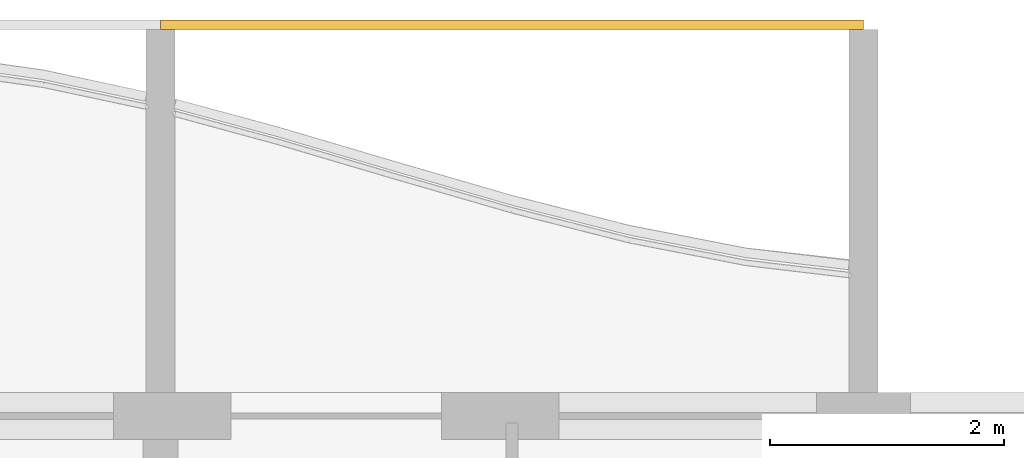
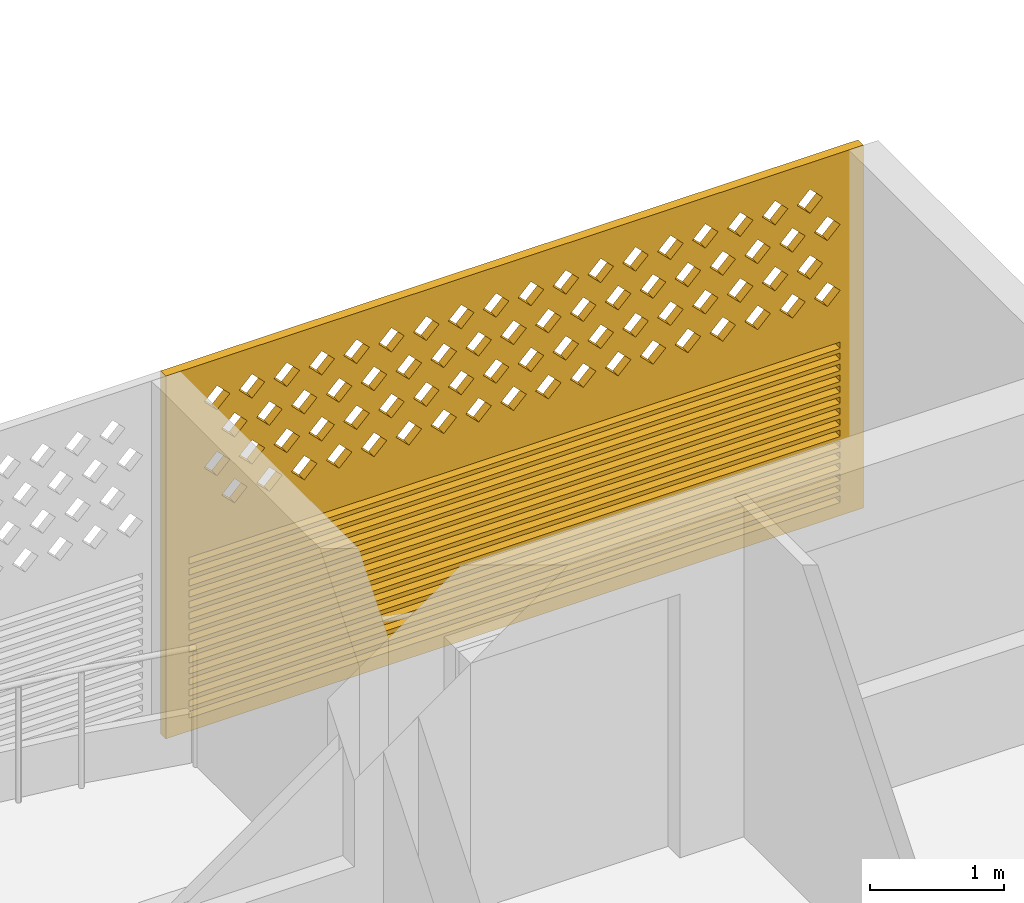
# One storey, part 26 of 32: 1 covering.
"""IFC4 building model written with IfcOpenShell, lengths in metres."""

from ifc_helpers import new_model, si_unit, direction, frame, origin, place, context, subcontext, project, spatial, polyline, outline, extrude, source, transform, mapped, material, material_profile, profile_set, type_object, element, save


model = new_model("IFC4")

# Units and contexts
model_context = context("Model", 3, precision=1e-05, world=origin(), true_north=direction((0.0, 1.0)))
body_context = subcontext(model_context, "Body", "Model", "MODEL_VIEW")
ifc_project = project(units=[si_unit("LENGTHUNIT", "METRE"), si_unit("AREAUNIT", "SQUARE_METRE"), si_unit("VOLUMEUNIT", "CUBIC_METRE"), si_unit("PLANEANGLEUNIT", "RADIAN"), si_unit("MASSUNIT", "GRAM", prefix="KILO")], contexts=[model_context])

# Site, building, storey
site_placement = place(None, origin())
site = spatial("IfcSite", under=ifc_project, at=site_placement, CompositionType="ELEMENT")
building_placement = place(site_placement, origin())
building = spatial("IfcBuilding", under=site, at=building_placement, Name="Poui Terraces", CompositionType="ELEMENT")
storey_placement = place(building_placement, frame((0.0, 0.0, 155.39990234375)))
storey = spatial("IfcBuildingStorey", under=building, at=storey_placement, Name="L43", CompositionType="ELEMENT", Elevation=155.39990234375)

# Covering
ifc_material = material(Name="Terracotta screen", Category="masonry")
ifc_material_profile = material_profile(ifc_material, outline(polyline([(-3.0, -1.64990234375), (3.0, -1.64990234375), (3.0, 1.64990234375), (-3.0, 1.64990234375), (-3.0, -1.64990234375)]), holes=[polyline([(-2.800048828125, 0.39990234375), (-2.68994140625, 0.2900390625), (-2.580078125, 0.39990234375), (-2.68994140625, 0.510009765625), (-2.800048828125, 0.39990234375)]), polyline([(-2.5, 0.39990234375), (-2.389892578125, 0.2900390625), (-2.280029296875, 0.39990234375), (-2.389892578125, 0.510009765625), (-2.5, 0.39990234375)]), polyline([(-2.199951171875, 0.39990234375), (-2.090087890625, 0.2900390625), (-1.97998046875, 0.39990234375), (-2.090087890625, 0.510009765625), (-2.199951171875, 0.39990234375)]), polyline([(-1.89990234375, 0.39990234375), (-1.7900390625, 0.2900390625), (-1.679931640625, 0.39990234375), (-1.7900390625, 0.510009765625), (-1.89990234375, 0.39990234375)]), polyline([(-1.60009765625, 0.39990234375), (-1.489990234375, 0.2900390625), (-1.3798828125, 0.39990234375), (-1.489990234375, 0.510009765625), (-1.60009765625, 0.39990234375)]), polyline([(-1.300048828125, 0.39990234375), (-1.18994140625, 0.2900390625), (-1.080078125, 0.39990234375), (-1.18994140625, 0.510009765625), (-1.300048828125, 0.39990234375)]), polyline([(-1.0, 0.39990234375), (-0.889892578125, 0.2900390625), (-0.780029296875, 0.39990234375), (-0.889892578125, 0.510009765625), (-1.0, 0.39990234375)]), polyline([(-0.699951171875, 0.39990234375), (-0.590087890625, 0.2900390625), (-0.47998046875, 0.39990234375), (-0.590087890625, 0.510009765625), (-0.699951171875, 0.39990234375)]), polyline([(-0.39990234375, 0.39990234375), (-0.2900390625, 0.2900390625), (-0.179931640625, 0.39990234375), (-0.2900390625, 0.510009765625), (-0.39990234375, 0.39990234375)]), polyline([(-0.10009765625, 0.39990234375), (0.010009765625, 0.2900390625), (0.1201171875, 0.39990234375), (0.010009765625, 0.510009765625), (-0.10009765625, 0.39990234375)]), polyline([(0.199951171875, 0.39990234375), (0.31005859375, 0.2900390625), (0.419921875, 0.39990234375), (0.31005859375, 0.510009765625), (0.199951171875, 0.39990234375)]), polyline([(0.5, 0.39990234375), (0.610107421875, 0.2900390625), (0.719970703125, 0.39990234375), (0.610107421875, 0.510009765625), (0.5, 0.39990234375)]), polyline([(0.800048828125, 0.39990234375), (0.909912109375, 0.2900390625), (1.02001953125, 0.39990234375), (0.909912109375, 0.510009765625), (0.800048828125, 0.39990234375)]), polyline([(1.10009765625, 0.39990234375), (1.2099609375, 0.2900390625), (1.320068359375, 0.39990234375), (1.2099609375, 0.510009765625), (1.10009765625, 0.39990234375)]), polyline([(1.39990234375, 0.39990234375), (1.510009765625, 0.2900390625), (1.6201171875, 0.39990234375), (1.510009765625, 0.510009765625), (1.39990234375, 0.39990234375)]), polyline([(1.699951171875, 0.39990234375), (1.81005859375, 0.2900390625), (1.919921875, 0.39990234375), (1.81005859375, 0.510009765625), (1.699951171875, 0.39990234375)]), polyline([(2.0, 0.39990234375), (2.110107421875, 0.2900390625), (2.219970703125, 0.39990234375), (2.110107421875, 0.510009765625), (2.0, 0.39990234375)]), polyline([(2.300048828125, 0.39990234375), (2.409912109375, 0.2900390625), (2.52001953125, 0.39990234375), (2.409912109375, 0.510009765625), (2.300048828125, 0.39990234375)]), polyline([(-2.64990234375, 0.699951171875), (-2.5400390625, 0.590087890625), (-2.429931640625, 0.699951171875), (-2.5400390625, 0.81005859375), (-2.64990234375, 0.699951171875)]), polyline([(-2.35009765625, 0.699951171875), (-2.239990234375, 0.590087890625), (-2.1298828125, 0.699951171875), (-2.239990234375, 0.81005859375), (-2.35009765625, 0.699951171875)]), polyline([(-2.050048828125, 0.699951171875), (-1.93994140625, 0.590087890625), (-1.830078125, 0.699951171875), (-1.93994140625, 0.81005859375), (-2.050048828125, 0.699951171875)]), polyline([(-1.75, 0.699951171875), (-1.639892578125, 0.590087890625), (-1.530029296875, 0.699951171875), (-1.639892578125, 0.81005859375), (-1.75, 0.699951171875)]), polyline([(-1.449951171875, 0.699951171875), (-1.340087890625, 0.590087890625), (-1.22998046875, 0.699951171875), (-1.340087890625, 0.81005859375), (-1.449951171875, 0.699951171875)]), polyline([(-1.14990234375, 0.699951171875), (-1.0400390625, 0.590087890625), (-0.929931640625, 0.699951171875), (-1.0400390625, 0.81005859375), (-1.14990234375, 0.699951171875)]), polyline([(-0.85009765625, 0.699951171875), (-0.739990234375, 0.590087890625), (-0.6298828125, 0.699951171875), (-0.739990234375, 0.81005859375), (-0.85009765625, 0.699951171875)]), polyline([(-0.550048828125, 0.699951171875), (-0.43994140625, 0.590087890625), (-0.330078125, 0.699951171875), (-0.43994140625, 0.81005859375), (-0.550048828125, 0.699951171875)]), polyline([(-0.25, 0.699951171875), (-0.139892578125, 0.590087890625), (-0.030029296875, 0.699951171875), (-0.139892578125, 0.81005859375), (-0.25, 0.699951171875)]), polyline([(0.050048828125, 0.699951171875), (0.159912109375, 0.590087890625), (0.27001953125, 0.699951171875), (0.159912109375, 0.81005859375), (0.050048828125, 0.699951171875)]), polyline([(0.35009765625, 0.699951171875), (0.4599609375, 0.590087890625), (0.570068359375, 0.699951171875), (0.4599609375, 0.81005859375), (0.35009765625, 0.699951171875)]), polyline([(0.64990234375, 0.699951171875), (0.760009765625, 0.590087890625), (0.8701171875, 0.699951171875), (0.760009765625, 0.81005859375), (0.64990234375, 0.699951171875)]), polyline([(0.949951171875, 0.699951171875), (1.06005859375, 0.590087890625), (1.169921875, 0.699951171875), (1.06005859375, 0.81005859375), (0.949951171875, 0.699951171875)]), polyline([(1.25, 0.699951171875), (1.360107421875, 0.590087890625), (1.469970703125, 0.699951171875), (1.360107421875, 0.81005859375), (1.25, 0.699951171875)]), polyline([(1.550048828125, 0.699951171875), (1.659912109375, 0.590087890625), (1.77001953125, 0.699951171875), (1.659912109375, 0.81005859375), (1.550048828125, 0.699951171875)]), polyline([(1.85009765625, 0.699951171875), (1.9599609375, 0.590087890625), (2.070068359375, 0.699951171875), (1.9599609375, 0.81005859375), (1.85009765625, 0.699951171875)]), polyline([(2.14990234375, 0.699951171875), (2.260009765625, 0.590087890625), (2.3701171875, 0.699951171875), (2.260009765625, 0.81005859375), (2.14990234375, 0.699951171875)]), polyline([(2.449951171875, 0.699951171875), (2.56005859375, 0.590087890625), (2.669921875, 0.699951171875), (2.56005859375, 0.81005859375), (2.449951171875, 0.699951171875)]), polyline([(-2.800048828125, 1.0), (-2.68994140625, 0.889892578125), (-2.580078125, 1.0), (-2.68994140625, 1.110107421875), (-2.800048828125, 1.0)]), polyline([(-2.5, 1.0), (-2.389892578125, 0.889892578125), (-2.280029296875, 1.0), (-2.389892578125, 1.110107421875), (-2.5, 1.0)]), polyline([(-2.199951171875, 1.0), (-2.090087890625, 0.889892578125), (-1.97998046875, 1.0), (-2.090087890625, 1.110107421875), (-2.199951171875, 1.0)]), polyline([(-1.89990234375, 1.0), (-1.7900390625, 0.889892578125), (-1.679931640625, 1.0), (-1.7900390625, 1.110107421875), (-1.89990234375, 1.0)]), polyline([(-1.60009765625, 1.0), (-1.489990234375, 0.889892578125), (-1.3798828125, 1.0), (-1.489990234375, 1.110107421875), (-1.60009765625, 1.0)]), polyline([(-1.300048828125, 1.0), (-1.18994140625, 0.889892578125), (-1.080078125, 1.0), (-1.18994140625, 1.110107421875), (-1.300048828125, 1.0)]), polyline([(-1.0, 1.0), (-0.889892578125, 0.889892578125), (-0.780029296875, 1.0), (-0.889892578125, 1.110107421875), (-1.0, 1.0)]), polyline([(-0.699951171875, 1.0), (-0.590087890625, 0.889892578125), (-0.47998046875, 1.0), (-0.590087890625, 1.110107421875), (-0.699951171875, 1.0)]), polyline([(-0.39990234375, 1.0), (-0.2900390625, 0.889892578125), (-0.179931640625, 1.0), (-0.2900390625, 1.110107421875), (-0.39990234375, 1.0)]), polyline([(-0.10009765625, 1.0), (0.010009765625, 0.889892578125), (0.1201171875, 1.0), (0.010009765625, 1.110107421875), (-0.10009765625, 1.0)]), polyline([(0.199951171875, 1.0), (0.31005859375, 0.889892578125), (0.419921875, 1.0), (0.31005859375, 1.110107421875), (0.199951171875, 1.0)]), polyline([(0.5, 1.0), (0.610107421875, 0.889892578125), (0.719970703125, 1.0), (0.610107421875, 1.110107421875), (0.5, 1.0)]), polyline([(0.800048828125, 1.0), (0.909912109375, 0.889892578125), (1.02001953125, 1.0), (0.909912109375, 1.110107421875), (0.800048828125, 1.0)]), polyline([(1.10009765625, 1.0), (1.2099609375, 0.889892578125), (1.320068359375, 1.0), (1.2099609375, 1.110107421875), (1.10009765625, 1.0)]), polyline([(1.39990234375, 1.0), (1.510009765625, 0.889892578125), (1.6201171875, 1.0), (1.510009765625, 1.110107421875), (1.39990234375, 1.0)]), polyline([(1.699951171875, 1.0), (1.81005859375, 0.889892578125), (1.919921875, 1.0), (1.81005859375, 1.110107421875), (1.699951171875, 1.0)]), polyline([(2.0, 1.0), (2.110107421875, 0.889892578125), (2.219970703125, 1.0), (2.110107421875, 1.110107421875), (2.0, 1.0)]), polyline([(2.300048828125, 1.0), (2.409912109375, 0.889892578125), (2.52001953125, 1.0), (2.409912109375, 1.110107421875), (2.300048828125, 1.0)]), polyline([(-2.64990234375, 1.300048828125), (-2.5400390625, 1.18994140625), (-2.429931640625, 1.300048828125), (-2.5400390625, 1.409912109375), (-2.64990234375, 1.300048828125)]), polyline([(-2.35009765625, 1.300048828125), (-2.239990234375, 1.18994140625), (-2.1298828125, 1.300048828125), (-2.239990234375, 1.409912109375), (-2.35009765625, 1.300048828125)]), polyline([(-2.050048828125, 1.300048828125), (-1.93994140625, 1.18994140625), (-1.830078125, 1.300048828125), (-1.93994140625, 1.409912109375), (-2.050048828125, 1.300048828125)]), polyline([(-1.75, 1.300048828125), (-1.639892578125, 1.18994140625), (-1.530029296875, 1.300048828125), (-1.639892578125, 1.409912109375), (-1.75, 1.300048828125)]), polyline([(-1.449951171875, 1.300048828125), (-1.340087890625, 1.18994140625), (-1.22998046875, 1.300048828125), (-1.340087890625, 1.409912109375), (-1.449951171875, 1.300048828125)]), polyline([(-1.14990234375, 1.300048828125), (-1.0400390625, 1.18994140625), (-0.929931640625, 1.300048828125), (-1.0400390625, 1.409912109375), (-1.14990234375, 1.300048828125)]), polyline([(-0.85009765625, 1.300048828125), (-0.739990234375, 1.18994140625), (-0.6298828125, 1.300048828125), (-0.739990234375, 1.409912109375), (-0.85009765625, 1.300048828125)]), polyline([(-0.550048828125, 1.300048828125), (-0.43994140625, 1.18994140625), (-0.330078125, 1.300048828125), (-0.43994140625, 1.409912109375), (-0.550048828125, 1.300048828125)]), polyline([(-0.25, 1.300048828125), (-0.139892578125, 1.18994140625), (-0.030029296875, 1.300048828125), (-0.139892578125, 1.409912109375), (-0.25, 1.300048828125)]), polyline([(0.050048828125, 1.300048828125), (0.159912109375, 1.18994140625), (0.27001953125, 1.300048828125), (0.159912109375, 1.409912109375), (0.050048828125, 1.300048828125)]), polyline([(0.35009765625, 1.300048828125), (0.4599609375, 1.18994140625), (0.570068359375, 1.300048828125), (0.4599609375, 1.409912109375), (0.35009765625, 1.300048828125)]), polyline([(0.64990234375, 1.300048828125), (0.760009765625, 1.18994140625), (0.8701171875, 1.300048828125), (0.760009765625, 1.409912109375), (0.64990234375, 1.300048828125)]), polyline([(0.949951171875, 1.300048828125), (1.06005859375, 1.18994140625), (1.169921875, 1.300048828125), (1.06005859375, 1.409912109375), (0.949951171875, 1.300048828125)]), polyline([(1.25, 1.300048828125), (1.360107421875, 1.18994140625), (1.469970703125, 1.300048828125), (1.360107421875, 1.409912109375), (1.25, 1.300048828125)]), polyline([(1.550048828125, 1.300048828125), (1.659912109375, 1.18994140625), (1.77001953125, 1.300048828125), (1.659912109375, 1.409912109375), (1.550048828125, 1.300048828125)]), polyline([(1.85009765625, 1.300048828125), (1.9599609375, 1.18994140625), (2.070068359375, 1.300048828125), (1.9599609375, 1.409912109375), (1.85009765625, 1.300048828125)]), polyline([(2.14990234375, 1.300048828125), (2.260009765625, 1.18994140625), (2.3701171875, 1.300048828125), (2.260009765625, 1.409912109375), (2.14990234375, 1.300048828125)]), polyline([(2.449951171875, 1.300048828125), (2.56005859375, 1.18994140625), (2.669921875, 1.300048828125), (2.56005859375, 1.409912109375), (2.449951171875, 1.300048828125)]), polyline([(-2.800048828125, -1.530029296875), (2.800048828125, -1.530029296875), (2.800048828125, -1.469970703125), (-2.800048828125, -1.469970703125), (-2.800048828125, -1.530029296875)]), polyline([(-2.800048828125, -1.429931640625), (2.800048828125, -1.429931640625), (2.800048828125, -1.3701171875), (-2.800048828125, -1.3701171875), (-2.800048828125, -1.429931640625)]), polyline([(-2.800048828125, -1.330078125), (2.800048828125, -1.330078125), (2.800048828125, -1.27001953125), (-2.800048828125, -1.27001953125), (-2.800048828125, -1.330078125)]), polyline([(-2.800048828125, -1.22998046875), (2.800048828125, -1.22998046875), (2.800048828125, -1.169921875), (-2.800048828125, -1.169921875), (-2.800048828125, -1.22998046875)]), polyline([(-2.800048828125, -1.1298828125), (2.800048828125, -1.1298828125), (2.800048828125, -1.070068359375), (-2.800048828125, -1.070068359375), (-2.800048828125, -1.1298828125)]), polyline([(-2.800048828125, -1.030029296875), (2.800048828125, -1.030029296875), (2.800048828125, -0.969970703125), (-2.800048828125, -0.969970703125), (-2.800048828125, -1.030029296875)]), polyline([(-2.800048828125, -0.929931640625), (2.800048828125, -0.929931640625), (2.800048828125, -0.8701171875), (-2.800048828125, -0.8701171875), (-2.800048828125, -0.929931640625)]), polyline([(-2.800048828125, -0.830078125), (2.800048828125, -0.830078125), (2.800048828125, -0.77001953125), (-2.800048828125, -0.77001953125), (-2.800048828125, -0.830078125)]), polyline([(-2.800048828125, -0.72998046875), (2.800048828125, -0.72998046875), (2.800048828125, -0.669921875), (-2.800048828125, -0.669921875), (-2.800048828125, -0.72998046875)]), polyline([(-2.800048828125, -0.6298828125), (2.800048828125, -0.6298828125), (2.800048828125, -0.570068359375), (-2.800048828125, -0.570068359375), (-2.800048828125, -0.6298828125)]), polyline([(-2.800048828125, -0.530029296875), (2.800048828125, -0.530029296875), (2.800048828125, -0.469970703125), (-2.800048828125, -0.469970703125), (-2.800048828125, -0.530029296875)]), polyline([(-2.800048828125, -0.429931640625), (2.800048828125, -0.429931640625), (2.800048828125, -0.3701171875), (-2.800048828125, -0.3701171875), (-2.800048828125, -0.429931640625)]), polyline([(-2.800048828125, -0.330078125), (2.800048828125, -0.330078125), (2.800048828125, -0.27001953125), (-2.800048828125, -0.27001953125), (-2.800048828125, -0.330078125)]), polyline([(-2.800048828125, -0.22998046875), (2.800048828125, -0.22998046875), (2.800048828125, -0.169921875), (-2.800048828125, -0.169921875), (-2.800048828125, -0.22998046875)]), polyline([(-2.800048828125, -0.1298828125), (2.800048828125, -0.1298828125), (2.800048828125, -0.070068359375), (-2.800048828125, -0.070068359375), (-2.800048828125, -0.1298828125)])]), Name="TERRACOTTA SCREEN AND JALOUSIE LOUVRE 6000X3300")
ifc_profile_set = profile_set([ifc_material_profile], Name="Terracotta screen")
covering_type = type_object("IfcCoveringType", Name="TERRACOTTA SCREEN AND JALOUSIE LOUVRE 6000X3300", PredefinedType="CLADDING", material=ifc_profile_set)
shared_shape = source(origin(), body_context, "Body", "SweptSolid", [
    extrude(outline(polyline([(-3.0, -1.64990234375), (3.0, -1.64990234375), (3.0, 1.64990234375), (-3.0, 1.64990234375), (-3.0, -1.64990234375)]), holes=[polyline([(-2.800048828125, 0.39990234375), (-2.68994140625, 0.2900390625), (-2.580078125, 0.39990234375), (-2.68994140625, 0.510009765625), (-2.800048828125, 0.39990234375)]), polyline([(-2.5, 0.39990234375), (-2.389892578125, 0.2900390625), (-2.280029296875, 0.39990234375), (-2.389892578125, 0.510009765625), (-2.5, 0.39990234375)]), polyline([(-2.199951171875, 0.39990234375), (-2.090087890625, 0.2900390625), (-1.97998046875, 0.39990234375), (-2.090087890625, 0.510009765625), (-2.199951171875, 0.39990234375)]), polyline([(-1.89990234375, 0.39990234375), (-1.7900390625, 0.2900390625), (-1.679931640625, 0.39990234375), (-1.7900390625, 0.510009765625), (-1.89990234375, 0.39990234375)]), polyline([(-1.60009765625, 0.39990234375), (-1.489990234375, 0.2900390625), (-1.3798828125, 0.39990234375), (-1.489990234375, 0.510009765625), (-1.60009765625, 0.39990234375)]), polyline([(-1.300048828125, 0.39990234375), (-1.18994140625, 0.2900390625), (-1.080078125, 0.39990234375), (-1.18994140625, 0.510009765625), (-1.300048828125, 0.39990234375)]), polyline([(-1.0, 0.39990234375), (-0.889892578125, 0.2900390625), (-0.780029296875, 0.39990234375), (-0.889892578125, 0.510009765625), (-1.0, 0.39990234375)]), polyline([(-0.699951171875, 0.39990234375), (-0.590087890625, 0.2900390625), (-0.47998046875, 0.39990234375), (-0.590087890625, 0.510009765625), (-0.699951171875, 0.39990234375)]), polyline([(-0.39990234375, 0.39990234375), (-0.2900390625, 0.2900390625), (-0.179931640625, 0.39990234375), (-0.2900390625, 0.510009765625), (-0.39990234375, 0.39990234375)]), polyline([(-0.10009765625, 0.39990234375), (0.010009765625, 0.2900390625), (0.1201171875, 0.39990234375), (0.010009765625, 0.510009765625), (-0.10009765625, 0.39990234375)]), polyline([(0.199951171875, 0.39990234375), (0.31005859375, 0.2900390625), (0.419921875, 0.39990234375), (0.31005859375, 0.510009765625), (0.199951171875, 0.39990234375)]), polyline([(0.5, 0.39990234375), (0.610107421875, 0.2900390625), (0.719970703125, 0.39990234375), (0.610107421875, 0.510009765625), (0.5, 0.39990234375)]), polyline([(0.800048828125, 0.39990234375), (0.909912109375, 0.2900390625), (1.02001953125, 0.39990234375), (0.909912109375, 0.510009765625), (0.800048828125, 0.39990234375)]), polyline([(1.10009765625, 0.39990234375), (1.2099609375, 0.2900390625), (1.320068359375, 0.39990234375), (1.2099609375, 0.510009765625), (1.10009765625, 0.39990234375)]), polyline([(1.39990234375, 0.39990234375), (1.510009765625, 0.2900390625), (1.6201171875, 0.39990234375), (1.510009765625, 0.510009765625), (1.39990234375, 0.39990234375)]), polyline([(1.699951171875, 0.39990234375), (1.81005859375, 0.2900390625), (1.919921875, 0.39990234375), (1.81005859375, 0.510009765625), (1.699951171875, 0.39990234375)]), polyline([(2.0, 0.39990234375), (2.110107421875, 0.2900390625), (2.219970703125, 0.39990234375), (2.110107421875, 0.510009765625), (2.0, 0.39990234375)]), polyline([(2.300048828125, 0.39990234375), (2.409912109375, 0.2900390625), (2.52001953125, 0.39990234375), (2.409912109375, 0.510009765625), (2.300048828125, 0.39990234375)]), polyline([(-2.64990234375, 0.699951171875), (-2.5400390625, 0.590087890625), (-2.429931640625, 0.699951171875), (-2.5400390625, 0.81005859375), (-2.64990234375, 0.699951171875)]), polyline([(-2.35009765625, 0.699951171875), (-2.239990234375, 0.590087890625), (-2.1298828125, 0.699951171875), (-2.239990234375, 0.81005859375), (-2.35009765625, 0.699951171875)]), polyline([(-2.050048828125, 0.699951171875), (-1.93994140625, 0.590087890625), (-1.830078125, 0.699951171875), (-1.93994140625, 0.81005859375), (-2.050048828125, 0.699951171875)]), polyline([(-1.75, 0.699951171875), (-1.639892578125, 0.590087890625), (-1.530029296875, 0.699951171875), (-1.639892578125, 0.81005859375), (-1.75, 0.699951171875)]), polyline([(-1.449951171875, 0.699951171875), (-1.340087890625, 0.590087890625), (-1.22998046875, 0.699951171875), (-1.340087890625, 0.81005859375), (-1.449951171875, 0.699951171875)]), polyline([(-1.14990234375, 0.699951171875), (-1.0400390625, 0.590087890625), (-0.929931640625, 0.699951171875), (-1.0400390625, 0.81005859375), (-1.14990234375, 0.699951171875)]), polyline([(-0.85009765625, 0.699951171875), (-0.739990234375, 0.590087890625), (-0.6298828125, 0.699951171875), (-0.739990234375, 0.81005859375), (-0.85009765625, 0.699951171875)]), polyline([(-0.550048828125, 0.699951171875), (-0.43994140625, 0.590087890625), (-0.330078125, 0.699951171875), (-0.43994140625, 0.81005859375), (-0.550048828125, 0.699951171875)]), polyline([(-0.25, 0.699951171875), (-0.139892578125, 0.590087890625), (-0.030029296875, 0.699951171875), (-0.139892578125, 0.81005859375), (-0.25, 0.699951171875)]), polyline([(0.050048828125, 0.699951171875), (0.159912109375, 0.590087890625), (0.27001953125, 0.699951171875), (0.159912109375, 0.81005859375), (0.050048828125, 0.699951171875)]), polyline([(0.35009765625, 0.699951171875), (0.4599609375, 0.590087890625), (0.570068359375, 0.699951171875), (0.4599609375, 0.81005859375), (0.35009765625, 0.699951171875)]), polyline([(0.64990234375, 0.699951171875), (0.760009765625, 0.590087890625), (0.8701171875, 0.699951171875), (0.760009765625, 0.81005859375), (0.64990234375, 0.699951171875)]), polyline([(0.949951171875, 0.699951171875), (1.06005859375, 0.590087890625), (1.169921875, 0.699951171875), (1.06005859375, 0.81005859375), (0.949951171875, 0.699951171875)]), polyline([(1.25, 0.699951171875), (1.360107421875, 0.590087890625), (1.469970703125, 0.699951171875), (1.360107421875, 0.81005859375), (1.25, 0.699951171875)]), polyline([(1.550048828125, 0.699951171875), (1.659912109375, 0.590087890625), (1.77001953125, 0.699951171875), (1.659912109375, 0.81005859375), (1.550048828125, 0.699951171875)]), polyline([(1.85009765625, 0.699951171875), (1.9599609375, 0.590087890625), (2.070068359375, 0.699951171875), (1.9599609375, 0.81005859375), (1.85009765625, 0.699951171875)]), polyline([(2.14990234375, 0.699951171875), (2.260009765625, 0.590087890625), (2.3701171875, 0.699951171875), (2.260009765625, 0.81005859375), (2.14990234375, 0.699951171875)]), polyline([(2.449951171875, 0.699951171875), (2.56005859375, 0.590087890625), (2.669921875, 0.699951171875), (2.56005859375, 0.81005859375), (2.449951171875, 0.699951171875)]), polyline([(-2.800048828125, 1.0), (-2.68994140625, 0.889892578125), (-2.580078125, 1.0), (-2.68994140625, 1.110107421875), (-2.800048828125, 1.0)]), polyline([(-2.5, 1.0), (-2.389892578125, 0.889892578125), (-2.280029296875, 1.0), (-2.389892578125, 1.110107421875), (-2.5, 1.0)]), polyline([(-2.199951171875, 1.0), (-2.090087890625, 0.889892578125), (-1.97998046875, 1.0), (-2.090087890625, 1.110107421875), (-2.199951171875, 1.0)]), polyline([(-1.89990234375, 1.0), (-1.7900390625, 0.889892578125), (-1.679931640625, 1.0), (-1.7900390625, 1.110107421875), (-1.89990234375, 1.0)]), polyline([(-1.60009765625, 1.0), (-1.489990234375, 0.889892578125), (-1.3798828125, 1.0), (-1.489990234375, 1.110107421875), (-1.60009765625, 1.0)]), polyline([(-1.300048828125, 1.0), (-1.18994140625, 0.889892578125), (-1.080078125, 1.0), (-1.18994140625, 1.110107421875), (-1.300048828125, 1.0)]), polyline([(-1.0, 1.0), (-0.889892578125, 0.889892578125), (-0.780029296875, 1.0), (-0.889892578125, 1.110107421875), (-1.0, 1.0)]), polyline([(-0.699951171875, 1.0), (-0.590087890625, 0.889892578125), (-0.47998046875, 1.0), (-0.590087890625, 1.110107421875), (-0.699951171875, 1.0)]), polyline([(-0.39990234375, 1.0), (-0.2900390625, 0.889892578125), (-0.179931640625, 1.0), (-0.2900390625, 1.110107421875), (-0.39990234375, 1.0)]), polyline([(-0.10009765625, 1.0), (0.010009765625, 0.889892578125), (0.1201171875, 1.0), (0.010009765625, 1.110107421875), (-0.10009765625, 1.0)]), polyline([(0.199951171875, 1.0), (0.31005859375, 0.889892578125), (0.419921875, 1.0), (0.31005859375, 1.110107421875), (0.199951171875, 1.0)]), polyline([(0.5, 1.0), (0.610107421875, 0.889892578125), (0.719970703125, 1.0), (0.610107421875, 1.110107421875), (0.5, 1.0)]), polyline([(0.800048828125, 1.0), (0.909912109375, 0.889892578125), (1.02001953125, 1.0), (0.909912109375, 1.110107421875), (0.800048828125, 1.0)]), polyline([(1.10009765625, 1.0), (1.2099609375, 0.889892578125), (1.320068359375, 1.0), (1.2099609375, 1.110107421875), (1.10009765625, 1.0)]), polyline([(1.39990234375, 1.0), (1.510009765625, 0.889892578125), (1.6201171875, 1.0), (1.510009765625, 1.110107421875), (1.39990234375, 1.0)]), polyline([(1.699951171875, 1.0), (1.81005859375, 0.889892578125), (1.919921875, 1.0), (1.81005859375, 1.110107421875), (1.699951171875, 1.0)]), polyline([(2.0, 1.0), (2.110107421875, 0.889892578125), (2.219970703125, 1.0), (2.110107421875, 1.110107421875), (2.0, 1.0)]), polyline([(2.300048828125, 1.0), (2.409912109375, 0.889892578125), (2.52001953125, 1.0), (2.409912109375, 1.110107421875), (2.300048828125, 1.0)]), polyline([(-2.64990234375, 1.300048828125), (-2.5400390625, 1.18994140625), (-2.429931640625, 1.300048828125), (-2.5400390625, 1.409912109375), (-2.64990234375, 1.300048828125)]), polyline([(-2.35009765625, 1.300048828125), (-2.239990234375, 1.18994140625), (-2.1298828125, 1.300048828125), (-2.239990234375, 1.409912109375), (-2.35009765625, 1.300048828125)]), polyline([(-2.050048828125, 1.300048828125), (-1.93994140625, 1.18994140625), (-1.830078125, 1.300048828125), (-1.93994140625, 1.409912109375), (-2.050048828125, 1.300048828125)]), polyline([(-1.75, 1.300048828125), (-1.639892578125, 1.18994140625), (-1.530029296875, 1.300048828125), (-1.639892578125, 1.409912109375), (-1.75, 1.300048828125)]), polyline([(-1.449951171875, 1.300048828125), (-1.340087890625, 1.18994140625), (-1.22998046875, 1.300048828125), (-1.340087890625, 1.409912109375), (-1.449951171875, 1.300048828125)]), polyline([(-1.14990234375, 1.300048828125), (-1.0400390625, 1.18994140625), (-0.929931640625, 1.300048828125), (-1.0400390625, 1.409912109375), (-1.14990234375, 1.300048828125)]), polyline([(-0.85009765625, 1.300048828125), (-0.739990234375, 1.18994140625), (-0.6298828125, 1.300048828125), (-0.739990234375, 1.409912109375), (-0.85009765625, 1.300048828125)]), polyline([(-0.550048828125, 1.300048828125), (-0.43994140625, 1.18994140625), (-0.330078125, 1.300048828125), (-0.43994140625, 1.409912109375), (-0.550048828125, 1.300048828125)]), polyline([(-0.25, 1.300048828125), (-0.139892578125, 1.18994140625), (-0.030029296875, 1.300048828125), (-0.139892578125, 1.409912109375), (-0.25, 1.300048828125)]), polyline([(0.050048828125, 1.300048828125), (0.159912109375, 1.18994140625), (0.27001953125, 1.300048828125), (0.159912109375, 1.409912109375), (0.050048828125, 1.300048828125)]), polyline([(0.35009765625, 1.300048828125), (0.4599609375, 1.18994140625), (0.570068359375, 1.300048828125), (0.4599609375, 1.409912109375), (0.35009765625, 1.300048828125)]), polyline([(0.64990234375, 1.300048828125), (0.760009765625, 1.18994140625), (0.8701171875, 1.300048828125), (0.760009765625, 1.409912109375), (0.64990234375, 1.300048828125)]), polyline([(0.949951171875, 1.300048828125), (1.06005859375, 1.18994140625), (1.169921875, 1.300048828125), (1.06005859375, 1.409912109375), (0.949951171875, 1.300048828125)]), polyline([(1.25, 1.300048828125), (1.360107421875, 1.18994140625), (1.469970703125, 1.300048828125), (1.360107421875, 1.409912109375), (1.25, 1.300048828125)]), polyline([(1.550048828125, 1.300048828125), (1.659912109375, 1.18994140625), (1.77001953125, 1.300048828125), (1.659912109375, 1.409912109375), (1.550048828125, 1.300048828125)]), polyline([(1.85009765625, 1.300048828125), (1.9599609375, 1.18994140625), (2.070068359375, 1.300048828125), (1.9599609375, 1.409912109375), (1.85009765625, 1.300048828125)]), polyline([(2.14990234375, 1.300048828125), (2.260009765625, 1.18994140625), (2.3701171875, 1.300048828125), (2.260009765625, 1.409912109375), (2.14990234375, 1.300048828125)]), polyline([(2.449951171875, 1.300048828125), (2.56005859375, 1.18994140625), (2.669921875, 1.300048828125), (2.56005859375, 1.409912109375), (2.449951171875, 1.300048828125)]), polyline([(-2.800048828125, -1.530029296875), (2.800048828125, -1.530029296875), (2.800048828125, -1.469970703125), (-2.800048828125, -1.469970703125), (-2.800048828125, -1.530029296875)]), polyline([(-2.800048828125, -1.429931640625), (2.800048828125, -1.429931640625), (2.800048828125, -1.3701171875), (-2.800048828125, -1.3701171875), (-2.800048828125, -1.429931640625)]), polyline([(-2.800048828125, -1.330078125), (2.800048828125, -1.330078125), (2.800048828125, -1.27001953125), (-2.800048828125, -1.27001953125), (-2.800048828125, -1.330078125)]), polyline([(-2.800048828125, -1.22998046875), (2.800048828125, -1.22998046875), (2.800048828125, -1.169921875), (-2.800048828125, -1.169921875), (-2.800048828125, -1.22998046875)]), polyline([(-2.800048828125, -1.1298828125), (2.800048828125, -1.1298828125), (2.800048828125, -1.070068359375), (-2.800048828125, -1.070068359375), (-2.800048828125, -1.1298828125)]), polyline([(-2.800048828125, -1.030029296875), (2.800048828125, -1.030029296875), (2.800048828125, -0.969970703125), (-2.800048828125, -0.969970703125), (-2.800048828125, -1.030029296875)]), polyline([(-2.800048828125, -0.929931640625), (2.800048828125, -0.929931640625), (2.800048828125, -0.8701171875), (-2.800048828125, -0.8701171875), (-2.800048828125, -0.929931640625)]), polyline([(-2.800048828125, -0.830078125), (2.800048828125, -0.830078125), (2.800048828125, -0.77001953125), (-2.800048828125, -0.77001953125), (-2.800048828125, -0.830078125)]), polyline([(-2.800048828125, -0.72998046875), (2.800048828125, -0.72998046875), (2.800048828125, -0.669921875), (-2.800048828125, -0.669921875), (-2.800048828125, -0.72998046875)]), polyline([(-2.800048828125, -0.6298828125), (2.800048828125, -0.6298828125), (2.800048828125, -0.570068359375), (-2.800048828125, -0.570068359375), (-2.800048828125, -0.6298828125)]), polyline([(-2.800048828125, -0.530029296875), (2.800048828125, -0.530029296875), (2.800048828125, -0.469970703125), (-2.800048828125, -0.469970703125), (-2.800048828125, -0.530029296875)]), polyline([(-2.800048828125, -0.429931640625), (2.800048828125, -0.429931640625), (2.800048828125, -0.3701171875), (-2.800048828125, -0.3701171875), (-2.800048828125, -0.429931640625)]), polyline([(-2.800048828125, -0.330078125), (2.800048828125, -0.330078125), (2.800048828125, -0.27001953125), (-2.800048828125, -0.27001953125), (-2.800048828125, -0.330078125)]), polyline([(-2.800048828125, -0.22998046875), (2.800048828125, -0.22998046875), (2.800048828125, -0.169921875), (-2.800048828125, -0.169921875), (-2.800048828125, -0.22998046875)]), polyline([(-2.800048828125, -0.1298828125), (2.800048828125, -0.1298828125), (2.800048828125, -0.070068359375), (-2.800048828125, -0.070068359375), (-2.800048828125, -0.1298828125)])]), origin(), (0.0, 0.0, 1.0), 0.080078125),
])
covering_placement = place(storey_placement, frame((51.0, 45.699951171875, 1.4501953125), z_axis=(0.0, 1.0, 0.0), x_axis=(-1.0, 0.0, 0.0)))
element("IfcCovering", 1, at=covering_placement, inside=storey, type_object=covering_type, Name="SOLAR SCREEN AND JALOUSIE LOUVRE", PredefinedType="CLADDING", context=body_context, shape_type="MappedRepresentation", body=[
    mapped(shared_shape, transform((0.0, 0.0, 0.0))),
])

save(model, "model.ifc")
